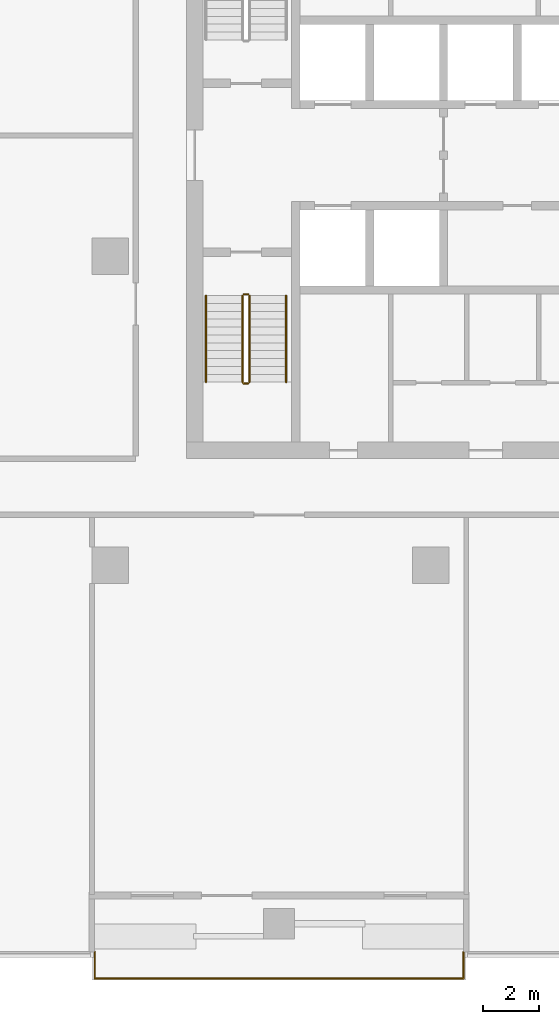
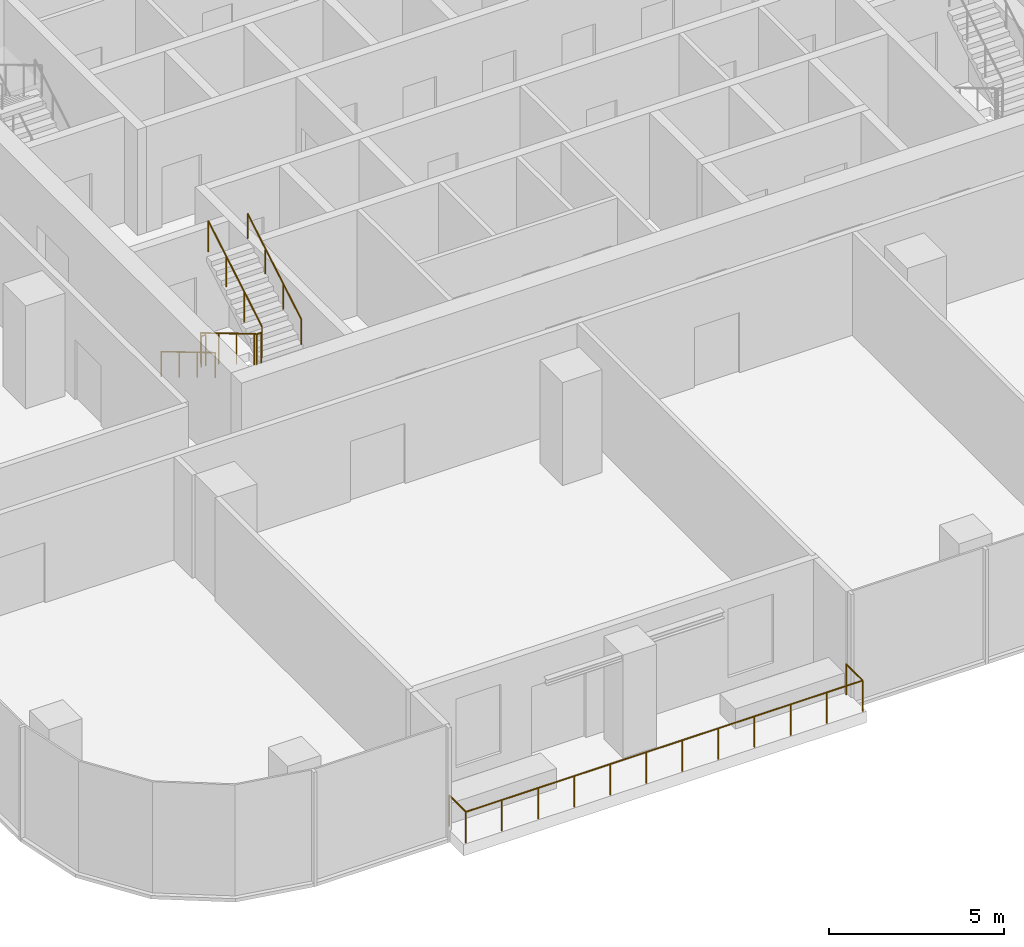
# One storey, part 11 of 14: 6 railings.
"""IFC4 building model written with IfcOpenShell, lengths in metres."""

from ifc_helpers import new_model, si_unit, direction, frame, origin, origin_2d, place, context, subcontext, project, spatial, circle, extrude, material, type_object, element, save


model = new_model("IFC4")

# Units and contexts
model_context = context("Model", 3, precision=1e-05, world=origin(), true_north=direction((0.0, 1.0)))
body_context = subcontext(model_context, "Body", "Model", "MODEL_VIEW")
ifc_project = project(units=[si_unit("LENGTHUNIT", "METRE"), si_unit("AREAUNIT", "SQUARE_METRE"), si_unit("VOLUMEUNIT", "CUBIC_METRE"), si_unit("PLANEANGLEUNIT", "RADIAN"), si_unit("MASSUNIT", "GRAM", prefix="KILO")], contexts=[model_context])

# Site, building, storey
site_placement = place(None, origin())
site = spatial("IfcSite", under=ifc_project, at=site_placement, CompositionType="ELEMENT")
building_placement = place(site_placement, origin())
building = spatial("IfcBuilding", under=site, at=building_placement, Name="Mopane Tessera Tower", CompositionType="ELEMENT")
storey_placement = place(building_placement, frame((0.0, 0.0, 219.0)))
storey = spatial("IfcBuildingStorey", under=building, at=storey_placement, Name="L46", CompositionType="ELEMENT", Elevation=219.0)

# Railings
ifc_material_1 = material(Name="Powder-coated steel balustrade", Category="steel")
railing_type_1 = type_object("IfcRailingType", Name="Escape stair guard 1100 mm", PredefinedType="GUARDRAIL", material=ifc_material_1)
railing_1_placement = place(storey_placement, frame((-12.39990234375, -1.39990234375, 0.166748046875)))
element("IfcRailing", 1, at=railing_1_placement, inside=storey, type_object=railing_type_1, Name="L46 ST1 stair guard 1", PredefinedType="GUARDRAIL", context=body_context, shape_type="SweptSolid", body=[
    extrude(circle(Radius=0.02392578125, at=origin_2d()), frame((0.0, 0.0, 1.076171875), z_axis=(0.0, -0.859308565015, 0.511457515432), x_axis=(1.0, 0.0, 0.0)), (0.0, 0.0, 1.0), 3.58447265625),
    extrude(circle(Radius=0.02392578125, at=origin_2d()), frame((0.0, -3.080078125, 2.9091796875), z_axis=(0.705375805398, -0.708833529934, 0.0), x_axis=(0.708833529934, 0.705375805398, 0.0)), (0.0, 0.0, 1.0), 0.070556640625),
    extrude(circle(Radius=0.02392578125, at=origin_2d()), frame((0.0498046875, -3.130126953125, 2.9091796875), z_axis=(1.0, 0.0, 0.0), x_axis=(0.0, 1.0, 0.0)), (0.0, 0.0, 1.0), 0.150146484375),
    extrude(circle(Radius=0.02099609375, at=origin_2d()), origin(), (0.0, 0.0, 1.0), 1.052001953125),
    extrude(circle(Radius=0.02099609375, at=origin_2d()), frame((0.0, -1.026611328125, 0.611083984375)), (0.0, 0.0, 1.0), 1.052001953125),
    extrude(circle(Radius=0.02099609375, at=origin_2d()), frame((0.0, -2.053466796875, 1.22216796875)), (0.0, 0.0, 1.0), 1.052001953125),
    extrude(circle(Radius=0.02099609375, at=origin_2d()), frame((0.0, -3.080078125, 1.833251953125)), (0.0, 0.0, 1.0), 1.052001953125),
    extrude(circle(Radius=0.02099609375, at=origin_2d()), frame((0.0498046875, -3.130126953125, 1.833251953125)), (0.0, 0.0, 1.0), 1.052001953125),
    extrude(circle(Radius=0.02099609375, at=origin_2d()), frame((0.199951171875, -3.130126953125, 1.833251953125)), (0.0, 0.0, 1.0), 1.052001953125),
])
railing_2_placement = place(storey_placement, frame((-12.14990234375, -4.47998046875, 2.166748046875)))
element("IfcRailing", 2, at=railing_2_placement, inside=storey, type_object=railing_type_1, Name="L46 ST1 stair guard 2", PredefinedType="GUARDRAIL", context=body_context, shape_type="SweptSolid", body=[
    extrude(circle(Radius=0.02392578125, at=origin_2d()), frame((0.0, 0.0, 1.076171875), z_axis=(0.0, 0.859308565015, 0.511457515432), x_axis=(-1.0, 0.0, 0.0)), (0.0, 0.0, 1.0), 3.58447265625),
    extrude(circle(Radius=0.02099609375, at=origin_2d()), origin(), (0.0, 0.0, 1.0), 1.052001953125),
    extrude(circle(Radius=0.02099609375, at=origin_2d()), frame((0.0, 1.026611328125, 0.611083984375)), (0.0, 0.0, 1.0), 1.052001953125),
    extrude(circle(Radius=0.02099609375, at=origin_2d()), frame((0.0, 2.053466796875, 1.22216796875)), (0.0, 0.0, 1.0), 1.052001953125),
    extrude(circle(Radius=0.02099609375, at=origin_2d()), frame((0.0, 3.080078125, 1.833251953125)), (0.0, 0.0, 1.0), 1.052001953125),
])
railing_3_placement = place(storey_placement, frame((-12.35009765625, -1.35009765625, 0.0)))
element("IfcRailing", 3, at=railing_3_placement, inside=storey, type_object=railing_type_1, Name="L46 ST1 stair guard 3", PredefinedType="GUARDRAIL", context=body_context, shape_type="SweptSolid", body=[
    extrude(circle(Radius=0.02392578125, at=origin_2d()), frame((0.0, 0.0, 1.076171875), z_axis=(1.0, 0.0, 0.0), x_axis=(0.0, 1.0, 0.0)), (0.0, 0.0, 1.0), 0.150146484375),
    extrude(circle(Radius=0.02099609375, at=origin_2d()), origin(), (0.0, 0.0, 1.0), 1.052001953125),
    extrude(circle(Radius=0.02099609375, at=origin_2d()), frame((0.150146484375, 0.0, 0.0)), (0.0, 0.0, 1.0), 1.052001953125),
])
ifc_material_2 = material(Name="Powder-coated steel balustrade", Category="steel")
railing_type_2 = type_object("IfcRailingType", Name="Escape stair handrail 900 mm", PredefinedType="HANDRAIL", material=ifc_material_2)
railing_4_placement = place(storey_placement, frame((-13.699951171875, -1.39990234375, 0.166748046875)))
element("IfcRailing", 4, at=railing_4_placement, inside=storey, type_object=railing_type_2, Name="L46 ST1 stair handrail 1", PredefinedType="HANDRAIL", context=body_context, shape_type="SweptSolid", body=[
    extrude(circle(Radius=0.02392578125, at=origin_2d()), frame((0.0, 0.0, 0.8759765625), z_axis=(0.0, -0.859308565015, 0.511457515432), x_axis=(1.0, 0.0, 0.0)), (0.0, 0.0, 1.0), 3.58447265625),
    extrude(circle(Radius=0.02099609375, at=origin_2d()), origin(), (0.0, 0.0, 1.0), 0.851806640625),
    extrude(circle(Radius=0.02099609375, at=origin_2d()), frame((0.0, -1.026611328125, 0.611083984375)), (0.0, 0.0, 1.0), 0.851806640625),
    extrude(circle(Radius=0.02099609375, at=origin_2d()), frame((0.0, -2.053466796875, 1.22216796875)), (0.0, 0.0, 1.0), 0.851806640625),
    extrude(circle(Radius=0.02099609375, at=origin_2d()), frame((0.0, -3.080078125, 1.833251953125)), (0.0, 0.0, 1.0), 0.851806640625),
])
railing_5_placement = place(storey_placement, frame((-10.85009765625, -4.47998046875, 2.166748046875)))
element("IfcRailing", 5, at=railing_5_placement, inside=storey, type_object=railing_type_2, Name="L46 ST1 stair handrail 2", PredefinedType="HANDRAIL", context=body_context, shape_type="SweptSolid", body=[
    extrude(circle(Radius=0.02392578125, at=origin_2d()), frame((0.0, 0.0, 0.8759765625), z_axis=(0.0, 0.859308565015, 0.511457515432), x_axis=(-1.0, 0.0, 0.0)), (0.0, 0.0, 1.0), 3.58447265625),
    extrude(circle(Radius=0.02099609375, at=origin_2d()), origin(), (0.0, 0.0, 1.0), 0.851806640625),
    extrude(circle(Radius=0.02099609375, at=origin_2d()), frame((0.0, 1.026611328125, 0.611083984375)), (0.0, 0.0, 1.0), 0.851806640625),
    extrude(circle(Radius=0.02099609375, at=origin_2d()), frame((0.0, 2.053466796875, 1.22216796875)), (0.0, 0.0, 1.0), 0.851806640625),
    extrude(circle(Radius=0.02099609375, at=origin_2d()), frame((0.0, 3.080078125, 1.833251953125)), (0.0, 0.0, 1.0), 0.851806640625),
])
ifc_material_3 = material(Name="Stainless steel S316", Category="steel")
railing_type_3 = type_object("IfcRailingType", Name="Terrace guard 1100", PredefinedType="GUARDRAIL", material=ifc_material_3)
railing_6_placement = place(storey_placement, frame((-17.659912109375, -24.75, 0.0)))
element("IfcRailing", 6, at=railing_6_placement, inside=storey, type_object=railing_type_3, Name="e:nw:L46:N1:guard", PredefinedType="GUARDRAIL", context=body_context, shape_type="SweptSolid", body=[
    extrude(circle(Radius=0.02392578125, at=origin_2d()), frame((0.0, 0.0, 1.076171875), z_axis=(0.0, -1.0, 0.0), x_axis=(1.0, 0.0, 0.0)), (0.0, 0.0, 1.0), 0.949951171875),
    extrude(circle(Radius=0.02392578125, at=origin_2d()), frame((0.0, -0.949951171875, 1.076171875), z_axis=(1.0, 0.0, 0.0), x_axis=(0.0, 1.0, 0.0)), (0.0, 0.0, 1.0), 13.119873046875),
    extrude(circle(Radius=0.02392578125, at=origin_2d()), frame((13.119873046875, -0.949951171875, 1.076171875), z_axis=(0.0, 1.0, 0.0), x_axis=(-1.0, 0.0, 0.0)), (0.0, 0.0, 1.0), 0.949951171875),
    extrude(circle(Radius=0.02099609375, at=origin_2d()), origin(), (0.0, 0.0, 1.0), 1.052001953125),
    extrude(circle(Radius=0.02099609375, at=origin_2d()), frame((0.0, -0.949951171875, 0.0)), (0.0, 0.0, 1.0), 1.052001953125),
    extrude(circle(Radius=0.02099609375, at=origin_2d()), frame((1.192626953125, -0.949951171875, 0.0)), (0.0, 0.0, 1.0), 1.052001953125),
    extrude(circle(Radius=0.02099609375, at=origin_2d()), frame((2.385498046875, -0.949951171875, 0.0)), (0.0, 0.0, 1.0), 1.052001953125),
    extrude(circle(Radius=0.02099609375, at=origin_2d()), frame((3.578125, -0.949951171875, 0.0)), (0.0, 0.0, 1.0), 1.052001953125),
    extrude(circle(Radius=0.02099609375, at=origin_2d()), frame((4.770751953125, -0.949951171875, 0.0)), (0.0, 0.0, 1.0), 1.052001953125),
    extrude(circle(Radius=0.02099609375, at=origin_2d()), frame((5.963623046875, -0.949951171875, 0.0)), (0.0, 0.0, 1.0), 1.052001953125),
    extrude(circle(Radius=0.02099609375, at=origin_2d()), frame((7.15625, -0.949951171875, 0.0)), (0.0, 0.0, 1.0), 1.052001953125),
    extrude(circle(Radius=0.02099609375, at=origin_2d()), frame((8.34912109375, -0.949951171875, 0.0)), (0.0, 0.0, 1.0), 1.052001953125),
    extrude(circle(Radius=0.02099609375, at=origin_2d()), frame((9.541748046875, -0.949951171875, 0.0)), (0.0, 0.0, 1.0), 1.052001953125),
    extrude(circle(Radius=0.02099609375, at=origin_2d()), frame((10.734375, -0.949951171875, 0.0)), (0.0, 0.0, 1.0), 1.052001953125),
    extrude(circle(Radius=0.02099609375, at=origin_2d()), frame((11.92724609375, -0.949951171875, 0.0)), (0.0, 0.0, 1.0), 1.052001953125),
    extrude(circle(Radius=0.02099609375, at=origin_2d()), frame((13.119873046875, -0.949951171875, 0.0)), (0.0, 0.0, 1.0), 1.052001953125),
    extrude(circle(Radius=0.02099609375, at=origin_2d()), frame((13.119873046875, 0.0, 0.0)), (0.0, 0.0, 1.0), 1.052001953125),
])

save(model, "model.ifc")
